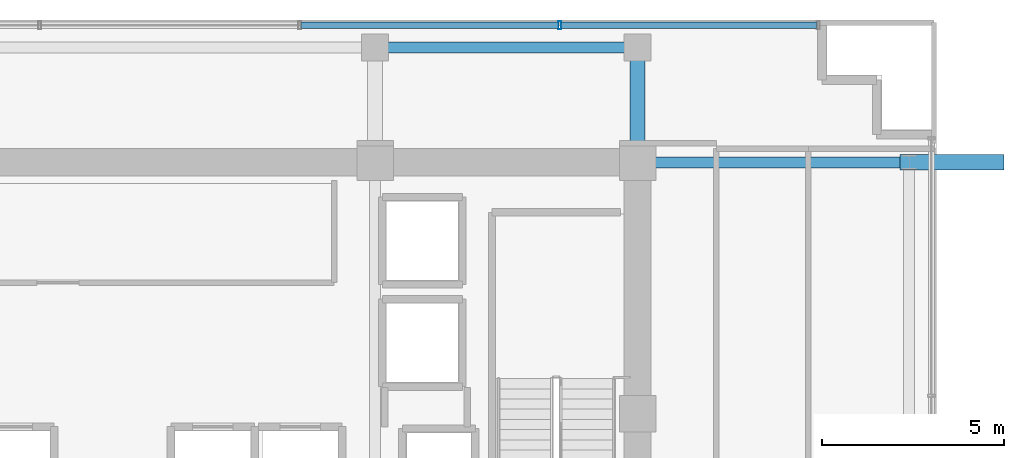
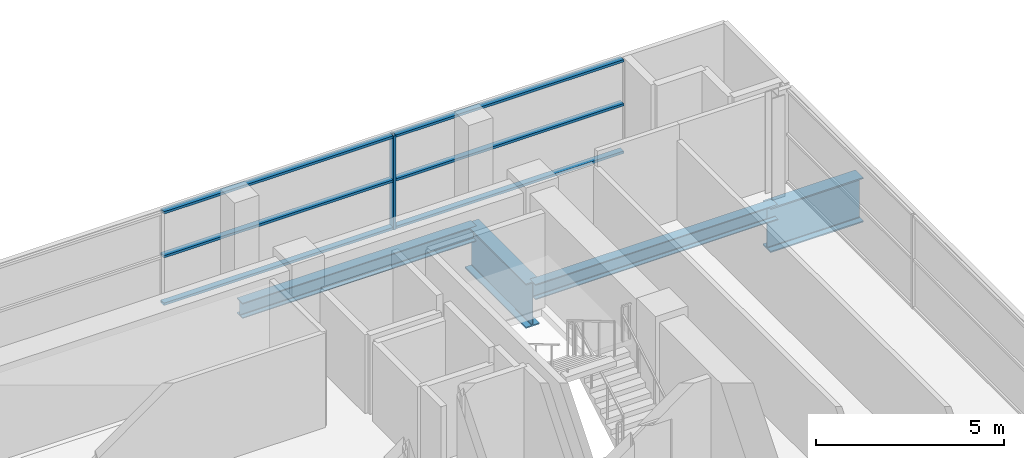
# One storey, part 13 of 23: 7 members, 4 beams, 1 element without a shape of its own.
"""IFC4 building model written with IfcOpenShell, lengths in metres."""

import ifcopenshell
import ifcopenshell.guid

model = None  # the IFC model being written
_history = None  # IfcOwnerHistory: only IFC2X3 demands one
_inside = {}  # id of a spatial element -> (the spatial element, [elements in it])
_under = {}  # id of a project, library or spatial element -> (it, [spatial elements below it])
_declared = {}  # id of a project -> (the project, [libraries it declares])
_typed = {}  # id of a type object -> (the type object, [elements of that type])
_made_of = {}  # id of a material, layer set ... -> (it, [elements and type objects made of it])


def new_model(schema):
    """Start an empty IFC model of exactly this schema.

    Asked for "IFC4X3", IfcOpenShell would pick the latest addendum, in which some entities
    have other attributes; the version numbers below select the first issue.
    IFC2X3 requires an IfcOwnerHistory on every rooted entity: one is made here for all.
    """
    global model, _history
    if schema == "IFC4X3":
        model = ifcopenshell.file(schema_version=(4, 3, 0, 0))
    else:
        model = ifcopenshell.file(schema=schema)
    _inside.clear()
    _under.clear()
    _declared.clear()
    _typed.clear()
    _made_of.clear()
    _history = None
    if model.schema == "IFC2X3":
        org = make("IfcOrganization", Name="unknown")
        user = make(
            "IfcPersonAndOrganization",
            ThePerson=make("IfcPerson", FamilyName="unknown"),
            TheOrganization=org,
        )
        app = make(
            "IfcApplication",
            ApplicationDeveloper=org,
            Version="unknown",
            ApplicationFullName="unknown",
            ApplicationIdentifier="unknown",
        )
        _history = make(
            "IfcOwnerHistory",
            OwningUser=user,
            OwningApplication=app,
            ChangeAction="ADDED",
            CreationDate=0,
        )
    return model


def make(cls, **values):
    """One entity of the class cls with the attributes given. An attribute that is None is left unset."""
    return model.create_entity(
        cls, **{name: value for name, value in values.items() if value is not None}
    )


def rooted(cls, **values):
    """An entity with a GlobalId (a new one), such as an element, a storey or a relation."""
    return make(cls, GlobalId=ifcopenshell.guid.new(), OwnerHistory=_history, **values)


def si_unit(unit_type, name, prefix=None):
    """IfcSIUnit, for example si_unit("LENGTHUNIT", "METRE", prefix="MILLI")."""
    return make("IfcSIUnit", UnitType=unit_type, Prefix=prefix, Name=name)


def assignment(units):
    """IfcUnitAssignment: the units of a project."""
    return None if units is None else make("IfcUnitAssignment", Units=units)


def point(xyz):
    """IfcCartesianPoint."""
    return None if xyz is None else make("IfcCartesianPoint", Coordinates=xyz)


def direction(xyz):
    """IfcDirection."""
    return None if xyz is None else make("IfcDirection", DirectionRatios=xyz)


def frame(location, z_axis=None, x_axis=None):
    """IfcAxis2Placement3D, a coordinate frame: its origin and axes. An axis left out is left unset."""
    return make(
        "IfcAxis2Placement3D",
        Location=point(location),
        Axis=direction(z_axis),
        RefDirection=direction(x_axis),
    )


def frame_2d(location, x_axis=None):
    """IfcAxis2Placement2D, a coordinate frame in the plane: its origin and x axis."""
    return make(
        "IfcAxis2Placement2D", Location=point(location), RefDirection=direction(x_axis)
    )


def origin():
    """The frame at (0, 0, 0) with its axes left unset."""
    return frame((0.0, 0.0, 0.0))


def origin_2d():
    """The frame at (0, 0) in the plane with its x axis left unset."""
    return frame_2d((0.0, 0.0))


def place(relative_to, where):
    """IfcLocalPlacement: puts the frame where relative to a parent placement (None: the world)."""
    return make(
        "IfcLocalPlacement", PlacementRelTo=relative_to, RelativePlacement=where
    )


def context(
    kind, dimensions, precision=None, world=None, true_north=None, identifier=None
):
    """IfcGeometricRepresentationContext, for example the 3D "Model" context."""
    return make(
        "IfcGeometricRepresentationContext",
        ContextIdentifier=identifier,
        ContextType=kind,
        CoordinateSpaceDimension=dimensions,
        Precision=precision,
        WorldCoordinateSystem=world,
        TrueNorth=true_north,
    )


def subcontext(parent, identifier, kind, view, scale=None):
    """IfcGeometricRepresentationSubContext, for example "Body" below "Model"."""
    return make(
        "IfcGeometricRepresentationSubContext",
        ContextIdentifier=identifier,
        ContextType=kind,
        ParentContext=parent,
        TargetScale=scale,
        TargetView=view,
    )


def project(units=None, contexts=None):
    """IfcProject with its units and contexts."""
    return rooted(
        "IfcProject",
        Name="project",
        RepresentationContexts=contexts,
        UnitsInContext=assignment(units),
    )


def spatial(cls, under=None, at=None, **own):
    """A site, building, storey or space (cls), placed at a placement, below another one or the project."""
    s = rooted(cls, ObjectPlacement=at, **own)
    if under is not None:
        _under.setdefault(under.id(), (under, []))[1].append(s)
    return s


def profile(cls, at=None, kind="AREA", **sizes):
    """A parametric profile (cls). Its sizes go by their IFC names, for example OverallWidth=200.0."""
    return make(cls, ProfileType=kind, Position=at, **sizes)


def hollow_rectangle(**sizes):
    """IfcRectangleHollowProfileDef."""
    return profile("IfcRectangleHollowProfileDef", **sizes)


def i_section(**sizes):
    """IfcIShapeProfileDef."""
    return profile("IfcIShapeProfileDef", **sizes)


def extrude(swept, where, along, depth):
    """IfcExtrudedAreaSolid: the profile swept, set in the frame where, extruded along a direction by depth."""
    return make(
        "IfcExtrudedAreaSolid",
        SweptArea=swept,
        Position=where,
        ExtrudedDirection=direction(along),
        Depth=depth,
    )


def shape(context_of_items, identifier, shape_type, items):
    """IfcShapeRepresentation: the items that make up one representation, for example the "Body"."""
    return make(
        "IfcShapeRepresentation",
        ContextOfItems=context_of_items,
        RepresentationIdentifier=identifier,
        RepresentationType=shape_type,
        Items=items,
    )


def source(mapping_origin, context_of_items, identifier, shape_type, items):
    """IfcRepresentationMap: a shape defined once, which mapped items show again and again."""
    return make(
        "IfcRepresentationMap",
        MappingOrigin=mapping_origin,
        MappedRepresentation=shape(context_of_items, identifier, shape_type, items),
    )


def transform(
    local_origin,
    x_axis=None,
    y_axis=None,
    z_axis=None,
    scale=None,
    scale2=None,
    scale3=None,
    uniform=True,
):
    """IfcCartesianTransformationOperator3D, or its non-uniform kind. x_axis, y_axis, z_axis: its Axis1, 2, 3."""
    if uniform:
        return make(
            "IfcCartesianTransformationOperator3D",
            Axis1=direction(x_axis),
            Axis2=direction(y_axis),
            LocalOrigin=point(local_origin),
            Scale=scale,
            Axis3=direction(z_axis),
        )
    return make(
        "IfcCartesianTransformationOperator3DnonUniform",
        Axis1=direction(x_axis),
        Axis2=direction(y_axis),
        LocalOrigin=point(local_origin),
        Scale=scale,
        Axis3=direction(z_axis),
        Scale2=scale2,
        Scale3=scale3,
    )


def mapped(mapping_source, mapping_target):
    """IfcMappedItem: shows the shape of a source again, moved by a transform."""
    return make(
        "IfcMappedItem", MappingSource=mapping_source, MappingTarget=mapping_target
    )


def material(Name=None, Category=None):
    """IfcMaterial."""
    return make("IfcMaterial", Name=Name, Category=Category)


def layer(
    of_material, thickness, ventilated=None, Name=None, Category=None, Priority=None
):
    """IfcMaterialLayer: one layer of a wall or slab, of a material (None: an air gap)."""
    return make(
        "IfcMaterialLayer",
        Material=of_material,
        LayerThickness=thickness,
        IsVentilated=ventilated,
        Name=Name,
        Category=Category,
        Priority=Priority,
    )


def layer_set(layers, Name=None):
    """IfcMaterialLayerSet."""
    return make("IfcMaterialLayerSet", MaterialLayers=layers, LayerSetName=Name)


def material_profile(
    of_material, cross_section, Name=None, Category=None, Priority=None
):
    """IfcMaterialProfile: a cross section and its material."""
    return make(
        "IfcMaterialProfile",
        Name=Name,
        Material=of_material,
        Profile=cross_section,
        Priority=Priority,
        Category=Category,
    )


def profile_set(profiles, Name=None, composite=None):
    """IfcMaterialProfileSet."""
    return make(
        "IfcMaterialProfileSet",
        Name=Name,
        MaterialProfiles=profiles,
        CompositeProfile=composite,
    )


def made_of(thing, what):
    """Note that an element or type object is made of a material, layer set ...; save() writes the relation."""
    if what is not None:
        _made_of.setdefault(what.id(), (what, []))[1].append(thing)
    return thing


def type_object(cls, material=None, **own):
    """A type object (cls), such as IfcWallType, which elements share."""
    return made_of(rooted(cls, **own), material)


def element(
    cls,
    number,
    at=None,
    inside=None,
    cuts=None,
    type_object=None,
    material=None,
    context=None,
    identifier="Body",
    shape_type=None,
    held_by="IfcProductDefinitionShape",
    body=None,
    shapes=None,
    **own,
):
    """One element of the class cls, such as IfcWall. Its Tag is "e" and its number.

    at: its placement. inside: the storey or other place that contains it. cuts: it is an
    opening in that element (IfcRelVoidsElement). A single representation is given by context,
    identifier, shape_type and body (its items); several are given by shapes. held_by: the class
    of the entity that holds the representations. save() writes the other relations.
    """
    e = rooted(cls, Tag="e%d" % number, ObjectPlacement=at, **own)
    if body is not None:
        shapes = [shape(context, identifier, shape_type, body)]
    if shapes is not None:
        e.Representation = make(held_by, Representations=shapes)
    if inside is not None:
        _inside.setdefault(inside.id(), (inside, []))[1].append(e)
    if cuts is not None:
        rooted(
            "IfcRelVoidsElement", RelatingBuildingElement=cuts, RelatedOpeningElement=e
        )
    if type_object is not None:
        _typed.setdefault(type_object.id(), (type_object, []))[1].append(e)
    return made_of(e, material)


def aggregate(whole, parts):
    """IfcRelAggregates: a whole, such as a stair, and the parts it consists of."""
    return rooted("IfcRelAggregates", RelatingObject=whole, RelatedObjects=parts)


def save(model, path):
    """Write the relations noted so far, then the file.

    IfcRelAggregates (storeys below a building ...), IfcRelContainedInSpatialStructure (elements
    in a storey), IfcRelDefinesByType, IfcRelAssociatesMaterial and IfcRelDeclares: one each for
    every whole, place, type object, material and project.
    """
    for whole, parts in _under.values():
        aggregate(whole, parts)
    for where, things in _inside.values():
        rooted(
            "IfcRelContainedInSpatialStructure",
            RelatedElements=things,
            RelatingStructure=where,
        )
    for kind, things in _typed.values():
        rooted("IfcRelDefinesByType", RelatedObjects=things, RelatingType=kind)
    for what, things in _made_of.values():
        rooted("IfcRelAssociatesMaterial", RelatedObjects=things, RelatingMaterial=what)
    for by, libraries in _declared.values():
        rooted("IfcRelDeclares", RelatingContext=by, RelatedDefinitions=libraries)
    model.write(path)


model = new_model("IFC4")

# Units and contexts
model_context = context("Model", 3, precision=1e-05, world=origin(), true_north=direction((0.0, 1.0)))
body_context = subcontext(model_context, "Body", "Model", "MODEL_VIEW")
ifc_project = project(units=[si_unit("LENGTHUNIT", "METRE"), si_unit("AREAUNIT", "SQUARE_METRE"), si_unit("VOLUMEUNIT", "CUBIC_METRE"), si_unit("PLANEANGLEUNIT", "RADIAN"), si_unit("MASSUNIT", "GRAM", prefix="KILO")], contexts=[model_context])

# Site, building, storey
site_placement = place(None, origin())
site = spatial("IfcSite", under=ifc_project, at=site_placement, CompositionType="ELEMENT")
building_placement = place(site_placement, origin())
building = spatial("IfcBuilding", under=site, at=building_placement, Name="Zarnakvel Exchange Tower", CompositionType="ELEMENT")
storey_placement = place(building_placement, frame((0.0, 0.0, 146.199951171875)))
storey = spatial("IfcBuildingStorey", under=building, at=storey_placement, Name="L40", CompositionType="ELEMENT", Elevation=146.199951171875)

# Beams
ifc_material_1 = material(Name="Steel S355", Category="steel")
ifc_material_profile_1 = material_profile(ifc_material_1, i_section(OverallWidth=0.300048828125, OverallDepth=0.5, WebThickness=0.014404296875, FlangeThickness=0.028076171875, FilletRadius=0.027099609375, at=origin_2d()))
ifc_profile_set_1 = profile_set([ifc_material_profile_1], Name="Steel S355")
beam_type_1 = type_object("IfcBeamType", Name="G-06", PredefinedType="BEAM", material=ifc_profile_set_1)
beam_1_placement = place(storey_placement, frame((14.39990234375, 13.5, -0.474853515625), z_axis=(1.0, 0.0, 0.0), x_axis=(0.0, 1.0, 0.0)))
element("IfcBeam", 1, at=beam_1_placement, inside=storey, type_object=beam_type_1, Name="L40 Tower E-W Frame Beam", PredefinedType="BEAM", context=body_context, shape_type="SweptSolid", body=[
    extrude(i_section(OverallWidth=0.300048828125, OverallDepth=0.5, WebThickness=0.014404296875, FlangeThickness=0.028076171875, FilletRadius=0.027099609375, at=origin_2d()), origin(), (0.0, 0.0, 1.0), 7.4501953125),
])
ifc_material_profile_2 = material_profile(ifc_material_1, i_section(OverallWidth=0.300048828125, OverallDepth=0.5, WebThickness=0.014404296875, FlangeThickness=0.028076171875, FilletRadius=0.027099609375, at=origin_2d()))
ifc_profile_set_2 = profile_set([ifc_material_profile_2], Name="Steel S355")
beam_type_2 = type_object("IfcBeamType", Name="SP-02", PredefinedType="SPANDREL", material=ifc_profile_set_2)
beam_2_placement = place(storey_placement, frame((7.199951171875, 16.64990234375, -0.474853515625), z_axis=(1.0, 0.0, 0.0), x_axis=(0.0, 1.0, 0.0)))
element("IfcBeam", 2, at=beam_2_placement, inside=storey, type_object=beam_type_2, Name="L40 Tower E-W Frame Beam", PredefinedType="SPANDREL", context=body_context, shape_type="SweptSolid", body=[
    extrude(i_section(OverallWidth=0.300048828125, OverallDepth=0.5, WebThickness=0.014404296875, FlangeThickness=0.028076171875, FilletRadius=0.027099609375, at=origin_2d()), origin(), (0.0, 0.0, 1.0), 7.199951171875),
])
ifc_material_2 = material(Name="Steel S460", Category="steel")
ifc_material_profile_3 = material_profile(ifc_material_2, i_section(OverallWidth=0.419921875, OverallDepth=1.449951171875, WebThickness=0.02392578125, FlangeThickness=0.0400390625, FilletRadius=0.030029296875, at=origin_2d()))
ifc_profile_set_3 = profile_set([ifc_material_profile_3], Name="Steel S460")
beam_type_3 = type_object("IfcBeamType", Name="TG-01", PredefinedType="BEAM", material=ifc_profile_set_3)
beam_3_placement = place(storey_placement, frame((14.39990234375, 13.5, -0.949951171875), z_axis=(0.0, 1.0, 0.0), x_axis=(-1.0, 0.0, 0.0)))
element("IfcBeam", 3, at=beam_3_placement, inside=storey, type_object=beam_type_3, Name="L40 Setback N-S Transfer Girder TN-9", PredefinedType="BEAM", context=body_context, shape_type="SweptSolid", body=[
    extrude(i_section(OverallWidth=0.419921875, OverallDepth=1.449951171875, WebThickness=0.02392578125, FlangeThickness=0.0400390625, FilletRadius=0.030029296875, at=origin_2d()), origin(), (0.0, 0.0, 1.0), 3.25),
])
beam_4_placement = place(storey_placement, frame((21.60009765625, 13.5, -0.949951171875), z_axis=(1.0, 0.0, 0.0), x_axis=(0.0, 1.0, 0.0)))
element("IfcBeam", 4, at=beam_4_placement, inside=storey, type_object=beam_type_3, Name="L40 Setback E-W Transfer Girder TE-F", PredefinedType="BEAM", context=body_context, shape_type="SweptSolid", body=[
    extrude(i_section(OverallWidth=0.419921875, OverallDepth=1.449951171875, WebThickness=0.02392578125, FlangeThickness=0.0400390625, FilletRadius=0.030029296875, at=origin_2d()), origin(), (0.0, 0.0, 1.0), 2.849853515625),
])

# Curtain wall, members
ifc_material_3 = material(Name="Architectural Bronze Anodised Aluminium", Category="aluminium")
ifc_layer = layer(ifc_material_3, 0.219970703125)
ifc_layer_set = layer_set([ifc_layer], Name="Architectural Bronze Anodised Aluminium")
curtain_wall_type = type_object("IfcCurtainWallType", Name="CW-03", PredefinedType="NOTDEFINED", material=ifc_layer_set)
curtain_wall_placement = place(storey_placement, origin())
curtain_wall = element("IfcCurtainWall", 5, at=curtain_wall_placement, inside=storey, type_object=curtain_wall_type, Name="L40 Curtain Wall CW-L40-N1 (CW-03)", PredefinedType="NOTDEFINED")
ifc_material_profile_4 = material_profile(ifc_material_3, hollow_rectangle(XDim=0.219970703125, YDim=0.080078125, WallThickness=0.0048828125, at=origin_2d()))
ifc_profile_set_4 = profile_set([ifc_material_profile_4], Name="Architectural Bronze Anodised Aluminium")
member_type_1 = type_object("IfcMemberType", Name="CWM-03", PredefinedType="MULLION", material=ifc_profile_set_4)
shared_shape_1 = source(origin(), body_context, "Body", "SweptSolid", [
    extrude(hollow_rectangle(XDim=0.219970703125, YDim=0.080078125, WallThickness=0.0048828125, at=origin_2d()), origin(), (0.0, 0.0, 1.0), 3.054931640625),
])
member_1_placement = place(storey_placement, frame((12.2666015625, 17.260009765625, 0.0), z_axis=(0.0, 0.0, 1.0), x_axis=(0.0, 1.0, 0.0)))
member_1 = element("IfcMember", 6, at=member_1_placement, type_object=member_type_1, Name="CW-03 mullion 6", PredefinedType="MULLION", context=body_context, shape_type="MappedRepresentation", body=[
    mapped(shared_shape_1, transform((0.0, 0.0, 0.0), x_axis=(1.0, 0.0, 0.0), y_axis=(0.0, 1.0, 0.0), z_axis=(0.0, 0.0, 1.0), scale=1.0)),
])
ifc_material_profile_5 = material_profile(ifc_material_3, hollow_rectangle(XDim=0.179931640625, YDim=0.080078125, WallThickness=0.00390625, at=origin_2d()))
ifc_profile_set_5 = profile_set([ifc_material_profile_5], Name="Architectural Bronze Anodised Aluminium")
member_type_2 = type_object("IfcMemberType", Name="CWT-03", PredefinedType="USERDEFINED", material=ifc_profile_set_5)
shared_shape_2 = source(origin(), body_context, "Body", "SweptSolid", [
    extrude(hollow_rectangle(XDim=0.179931640625, YDim=0.080078125, WallThickness=0.00390625, at=origin_2d()), origin(), (0.0, 0.0, 1.0), 7.013427734375),
])
member_2_placement = place(storey_placement, frame((12.306640625, 17.260009765625, 0.0400390625), z_axis=(1.0, 0.0, 0.0), x_axis=(0.0, 1.0, 0.0)))
member_2 = element("IfcMember", 7, at=member_2_placement, type_object=member_type_2, Name="CW-03 transom 6.1", ObjectType="TRANSOM", PredefinedType="USERDEFINED", context=body_context, shape_type="MappedRepresentation", body=[
    mapped(shared_shape_2, transform((0.0, 0.0, 0.0), x_axis=(1.0, 0.0, 0.0), y_axis=(0.0, 1.0, 0.0), z_axis=(0.0, 0.0, 1.0), scale=1.0)),
])
member_3_placement = place(storey_placement, frame((12.306640625, 17.260009765625, 1.588623046875), z_axis=(1.0, 0.0, 0.0), x_axis=(0.0, 1.0, 0.0)))
member_3 = element("IfcMember", 8, at=member_3_placement, type_object=member_type_2, Name="CW-03 transom 6.2", ObjectType="TRANSOM", PredefinedType="USERDEFINED", context=body_context, shape_type="MappedRepresentation", body=[
    mapped(shared_shape_2, transform((0.0, 0.0, 0.0), x_axis=(1.0, 0.0, 0.0), y_axis=(0.0, 1.0, 0.0), z_axis=(0.0, 0.0, 1.0), scale=1.0)),
])
member_4_placement = place(storey_placement, frame((12.306640625, 17.260009765625, 3.01513671875), z_axis=(1.0, 0.0, 0.0), x_axis=(0.0, 1.0, 0.0)))
member_4 = element("IfcMember", 9, at=member_4_placement, type_object=member_type_2, Name="CW-03 transom 6.3", ObjectType="TRANSOM", PredefinedType="USERDEFINED", context=body_context, shape_type="MappedRepresentation", body=[
    mapped(shared_shape_2, transform((0.0, 0.0, 0.0), x_axis=(1.0, 0.0, 0.0), y_axis=(0.0, 1.0, 0.0), z_axis=(0.0, 0.0, 1.0), scale=1.0)),
])
shared_shape_3 = source(origin(), body_context, "Body", "SweptSolid", [
    extrude(hollow_rectangle(XDim=0.179931640625, YDim=0.080078125, WallThickness=0.00390625, at=origin_2d()), origin(), (0.0, 0.0, 1.0), 7.05322265625),
])
member_5_placement = place(storey_placement, frame((5.17333984375, 17.260009765625, 0.0400390625), z_axis=(1.0, 0.0, 0.0), x_axis=(0.0, 1.0, 0.0)))
member_5 = element("IfcMember", 10, at=member_5_placement, type_object=member_type_2, Name="CW-03 transom 5.1", ObjectType="TRANSOM", PredefinedType="USERDEFINED", context=body_context, shape_type="MappedRepresentation", body=[
    mapped(shared_shape_3, transform((0.0, 0.0, 0.0), x_axis=(1.0, 0.0, 0.0), y_axis=(0.0, 1.0, 0.0), z_axis=(0.0, 0.0, 1.0), scale=1.0)),
])
member_6_placement = place(storey_placement, frame((5.17333984375, 17.260009765625, 1.588623046875), z_axis=(1.0, 0.0, 0.0), x_axis=(0.0, 1.0, 0.0)))
member_6 = element("IfcMember", 11, at=member_6_placement, type_object=member_type_2, Name="CW-03 transom 5.2", ObjectType="TRANSOM", PredefinedType="USERDEFINED", context=body_context, shape_type="MappedRepresentation", body=[
    mapped(shared_shape_3, transform((0.0, 0.0, 0.0), x_axis=(1.0, 0.0, 0.0), y_axis=(0.0, 1.0, 0.0), z_axis=(0.0, 0.0, 1.0), scale=1.0)),
])
member_7_placement = place(storey_placement, frame((5.17333984375, 17.260009765625, 3.01513671875), z_axis=(1.0, 0.0, 0.0), x_axis=(0.0, 1.0, 0.0)))
member_7 = element("IfcMember", 12, at=member_7_placement, type_object=member_type_2, Name="CW-03 transom 5.3", ObjectType="TRANSOM", PredefinedType="USERDEFINED", context=body_context, shape_type="MappedRepresentation", body=[
    mapped(shared_shape_3, transform((0.0, 0.0, 0.0), x_axis=(1.0, 0.0, 0.0), y_axis=(0.0, 1.0, 0.0), z_axis=(0.0, 0.0, 1.0), scale=1.0)),
])
aggregate(curtain_wall, [member_1, member_5, member_6, member_7, member_2, member_3, member_4])

save(model, "model.ifc")
